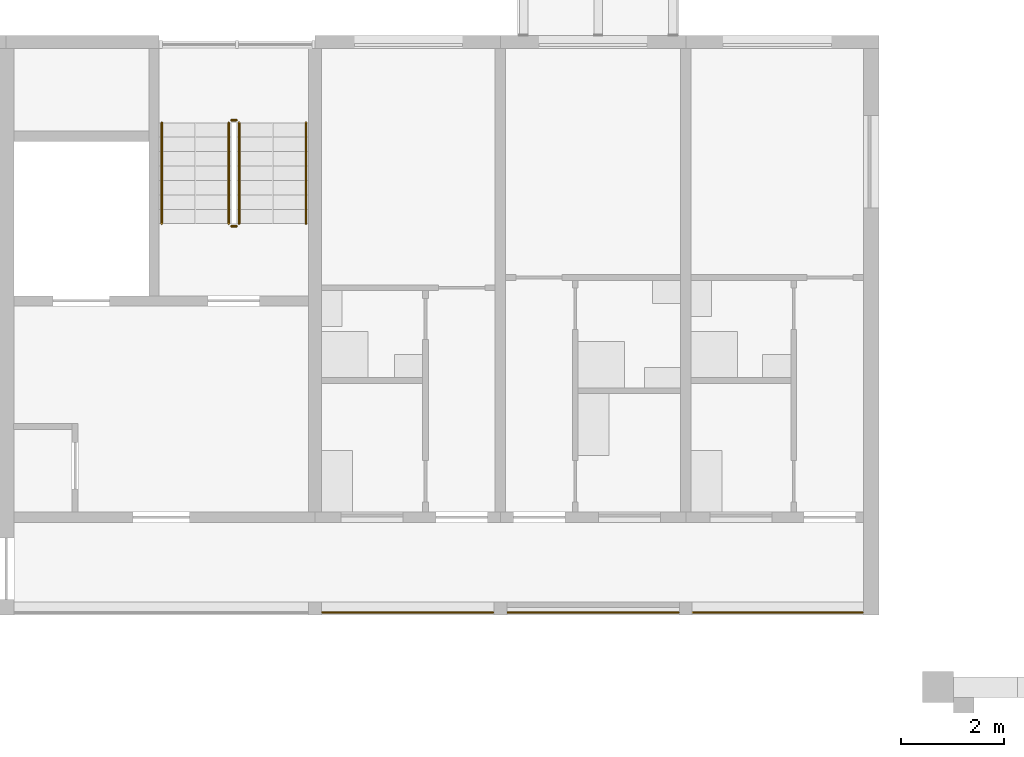
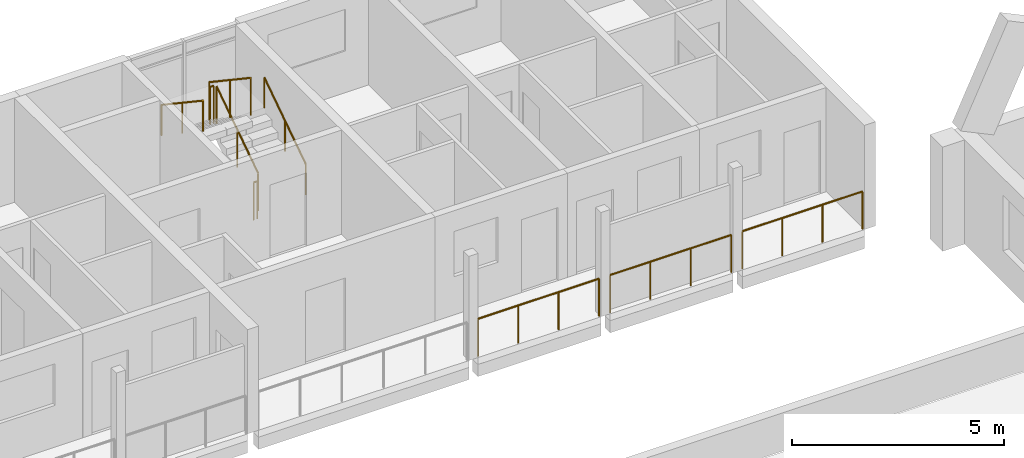
# One storey, part 102 of 115: 9 railings.
"""IFC4 building model written with IfcOpenShell, lengths in metres."""

from ifc_helpers import new_model, si_unit, direction, frame, origin, origin_2d, place, context, subcontext, project, spatial, circle, extrude, material, type_object, element, save


model = new_model("IFC4")

# Units and contexts
model_context = context("Model", 3, precision=1e-05, world=origin(), true_north=direction((0.0, 1.0)))
body_context = subcontext(model_context, "Body", "Model", "MODEL_VIEW")
ifc_project = project(units=[si_unit("LENGTHUNIT", "METRE"), si_unit("AREAUNIT", "SQUARE_METRE"), si_unit("VOLUMEUNIT", "CUBIC_METRE"), si_unit("PLANEANGLEUNIT", "RADIAN"), si_unit("MASSUNIT", "GRAM", prefix="KILO")], contexts=[model_context])

# Site, building, storey
site_placement = place(None, origin())
site = spatial("IfcSite", under=ifc_project, at=site_placement, CompositionType="ELEMENT")
building_placement = place(site_placement, origin())
building = spatial("IfcBuilding", under=site, at=building_placement, Name="Ridgestep Commons", CompositionType="ELEMENT")
storey_placement = place(building_placement, frame((0.0, 0.0, 6.0)))
storey = spatial("IfcBuildingStorey", under=building, at=storey_placement, Name="L02", CompositionType="ELEMENT", Elevation=6.0)

# Railings
ifc_material_1 = material(Name="Structural steel S355JR", Category="steel")
railing_type_1 = type_object("IfcRailingType", Name="Guard 1100", PredefinedType="GUARDRAIL", material=ifc_material_1)
railing_1_placement = place(storey_placement, frame((102.14599609375, 66.050048828125, 0.0)))
element("IfcRailing", 1, at=railing_1_placement, inside=storey, type_object=railing_type_1, Name="Gallery guard B 02.22", PredefinedType="GUARDRAIL", context=body_context, shape_type="SweptSolid", body=[
    extrude(circle(Radius=0.02392578125, at=origin_2d()), frame((0.0, 0.0, 1.076171875), z_axis=(1.0, 0.0, 0.0), x_axis=(0.0, 1.0, 0.0)), (0.0, 0.0, 1.0), 3.30810546875),
    extrude(circle(Radius=0.02099609375, at=origin_2d()), origin(), (0.0, 0.0, 1.0), 1.052001953125),
    extrude(circle(Radius=0.02099609375, at=origin_2d()), frame((1.102783203125, 0.0, 0.0)), (0.0, 0.0, 1.0), 1.052001953125),
    extrude(circle(Radius=0.02099609375, at=origin_2d()), frame((2.205322265625, 0.0, 0.0)), (0.0, 0.0, 1.0), 1.052001953125),
    extrude(circle(Radius=0.02099609375, at=origin_2d()), frame((3.30810546875, 0.0, 0.0)), (0.0, 0.0, 1.0), 1.052001953125),
])
railing_2_placement = place(storey_placement, frame((105.74609375, 66.050048828125, 0.0)))
element("IfcRailing", 2, at=railing_2_placement, inside=storey, type_object=railing_type_1, Name="Gallery guard B 02.23", PredefinedType="GUARDRAIL", context=body_context, shape_type="SweptSolid", body=[
    extrude(circle(Radius=0.02392578125, at=origin_2d()), frame((0.0, 0.0, 1.076171875), z_axis=(1.0, 0.0, 0.0), x_axis=(0.0, 1.0, 0.0)), (0.0, 0.0, 1.0), 3.307861328125),
    extrude(circle(Radius=0.02099609375, at=origin_2d()), origin(), (0.0, 0.0, 1.0), 1.052001953125),
    extrude(circle(Radius=0.02099609375, at=origin_2d()), frame((1.1025390625, 0.0, 0.0)), (0.0, 0.0, 1.0), 1.052001953125),
    extrude(circle(Radius=0.02099609375, at=origin_2d()), frame((2.205322265625, 0.0, 0.0)), (0.0, 0.0, 1.0), 1.052001953125),
    extrude(circle(Radius=0.02099609375, at=origin_2d()), frame((3.307861328125, 0.0, 0.0)), (0.0, 0.0, 1.0), 1.052001953125),
])
railing_3_placement = place(storey_placement, frame((109.345947265625, 66.050048828125, 0.0)))
element("IfcRailing", 3, at=railing_3_placement, inside=storey, type_object=railing_type_1, Name="Gallery guard B 02.24", PredefinedType="GUARDRAIL", context=body_context, shape_type="SweptSolid", body=[
    extrude(circle(Radius=0.02392578125, at=origin_2d()), frame((0.0, 0.0, 1.076171875), z_axis=(1.0, 0.0, 0.0), x_axis=(0.0, 1.0, 0.0)), (0.0, 0.0, 1.0), 3.282958984375),
    extrude(circle(Radius=0.02099609375, at=origin_2d()), origin(), (0.0, 0.0, 1.0), 1.052001953125),
    extrude(circle(Radius=0.02099609375, at=origin_2d()), frame((1.09423828125, 0.0, 0.0)), (0.0, 0.0, 1.0), 1.052001953125),
    extrude(circle(Radius=0.02099609375, at=origin_2d()), frame((2.188720703125, 0.0, 0.0)), (0.0, 0.0, 1.0), 1.052001953125),
    extrude(circle(Radius=0.02099609375, at=origin_2d()), frame((3.282958984375, 0.0, 0.0)), (0.0, 0.0, 1.0), 1.052001953125),
])
ifc_material_2 = material(Name="Structural steel S355JR", Category="steel")
railing_type_2 = type_object("IfcRailingType", Name="Stair guard 1100", PredefinedType="GUARDRAIL", material=ifc_material_2)
railing_4_placement = place(storey_placement, frame((100.52490234375, 73.60009765625, 0.1875)))
element("IfcRailing", 4, at=railing_4_placement, inside=storey, type_object=railing_type_2, Name="L02 B6C stair guard 1", PredefinedType="GUARDRAIL", context=body_context, shape_type="SweptSolid", body=[
    extrude(circle(Radius=0.02392578125, at=origin_2d()), frame((0.0, 0.0, 1.076171875), z_axis=(0.0, 0.830902050051, 0.556418712142), x_axis=(-1.0, 0.0, 0.0)), (0.0, 0.0, 1.0), 2.35888671875),
    extrude(circle(Radius=0.02099609375, at=origin_2d()), origin(), (0.0, 0.0, 1.0), 1.052001953125),
    extrude(circle(Radius=0.02099609375, at=origin_2d()), frame((0.0, 0.97998046875, 0.65625)), (0.0, 0.0, 1.0), 1.052001953125),
    extrude(circle(Radius=0.02099609375, at=origin_2d()), frame((0.0, 1.9599609375, 1.3125)), (0.0, 0.0, 1.0), 1.052001953125),
])
railing_5_placement = place(storey_placement, frame((100.47509765625, 75.610107421875, 1.5)))
element("IfcRailing", 5, at=railing_5_placement, inside=storey, type_object=railing_type_2, Name="L02 B6C stair guard 2", PredefinedType="GUARDRAIL", context=body_context, shape_type="SweptSolid", body=[
    extrude(circle(Radius=0.02392578125, at=origin_2d()), frame((0.0, 0.0, 1.076171875), z_axis=(-1.0, 0.0, 0.0), x_axis=(0.0, -1.0, 0.0)), (0.0, 0.0, 1.0), 0.10009765625),
    extrude(circle(Radius=0.02099609375, at=origin_2d()), origin(), (0.0, 0.0, 1.0), 1.052001953125),
    extrude(circle(Radius=0.02099609375, at=origin_2d()), frame((-0.10009765625, 0.0, 0.0)), (0.0, 0.0, 1.0), 1.052001953125),
])
railing_6_placement = place(storey_placement, frame((100.324951171875, 75.56005859375, 1.6875)))
element("IfcRailing", 6, at=railing_6_placement, inside=storey, type_object=railing_type_2, Name="L02 B6C stair guard 3", PredefinedType="GUARDRAIL", context=body_context, shape_type="SweptSolid", body=[
    extrude(circle(Radius=0.02392578125, at=origin_2d()), frame((0.0, 0.0, 1.076171875), z_axis=(0.0, -0.830902050051, 0.556418712142), x_axis=(1.0, 0.0, 0.0)), (0.0, 0.0, 1.0), 2.35888671875),
    extrude(circle(Radius=0.02099609375, at=origin_2d()), origin(), (0.0, 0.0, 1.0), 1.052001953125),
    extrude(circle(Radius=0.02099609375, at=origin_2d()), frame((0.0, -0.97998046875, 0.65625)), (0.0, 0.0, 1.0), 1.052001953125),
    extrude(circle(Radius=0.02099609375, at=origin_2d()), frame((0.0, -1.9599609375, 1.3125)), (0.0, 0.0, 1.0), 1.052001953125),
])
railing_7_placement = place(storey_placement, frame((100.47509765625, 73.550048828125, 0.0)))
element("IfcRailing", 7, at=railing_7_placement, inside=storey, type_object=railing_type_2, Name="L02 B6C stair guard 4", PredefinedType="GUARDRAIL", context=body_context, shape_type="SweptSolid", body=[
    extrude(circle(Radius=0.02392578125, at=origin_2d()), frame((0.0, 0.0, 1.076171875), z_axis=(-1.0, 0.0, 0.0), x_axis=(0.0, -1.0, 0.0)), (0.0, 0.0, 1.0), 0.10009765625),
    extrude(circle(Radius=0.02099609375, at=origin_2d()), origin(), (0.0, 0.0, 1.0), 1.052001953125),
    extrude(circle(Radius=0.02099609375, at=origin_2d()), frame((-0.10009765625, 0.0, 0.0)), (0.0, 0.0, 1.0), 1.052001953125),
])
ifc_material_3 = material(Name="Structural steel S355JR", Category="steel")
railing_type_3 = type_object("IfcRailingType", Name="Stair handrail 900", PredefinedType="HANDRAIL", material=ifc_material_3)
railing_8_placement = place(storey_placement, frame((101.824951171875, 73.60009765625, 0.1875)))
element("IfcRailing", 8, at=railing_8_placement, inside=storey, type_object=railing_type_3, Name="L02 B6C stair handrail 1", PredefinedType="HANDRAIL", context=body_context, shape_type="SweptSolid", body=[
    extrude(circle(Radius=0.02392578125, at=origin_2d()), frame((0.0, 0.0, 0.8759765625), z_axis=(0.0, 0.830902050051, 0.556418712142), x_axis=(-1.0, 0.0, 0.0)), (0.0, 0.0, 1.0), 2.35888671875),
    extrude(circle(Radius=0.02099609375, at=origin_2d()), origin(), (0.0, 0.0, 1.0), 0.851806640625),
    extrude(circle(Radius=0.02099609375, at=origin_2d()), frame((0.0, 0.97998046875, 0.65625)), (0.0, 0.0, 1.0), 0.851806640625),
    extrude(circle(Radius=0.02099609375, at=origin_2d()), frame((0.0, 1.9599609375, 1.3125)), (0.0, 0.0, 1.0), 0.851806640625),
])
railing_9_placement = place(storey_placement, frame((99.02490234375, 75.56005859375, 1.6875)))
element("IfcRailing", 9, at=railing_9_placement, inside=storey, type_object=railing_type_3, Name="L02 B6C stair handrail 2", PredefinedType="HANDRAIL", context=body_context, shape_type="SweptSolid", body=[
    extrude(circle(Radius=0.02392578125, at=origin_2d()), frame((0.0, 0.0, 0.8759765625), z_axis=(0.0, -0.830902050051, 0.556418712142), x_axis=(1.0, 0.0, 0.0)), (0.0, 0.0, 1.0), 2.35888671875),
    extrude(circle(Radius=0.02099609375, at=origin_2d()), origin(), (0.0, 0.0, 1.0), 0.851806640625),
    extrude(circle(Radius=0.02099609375, at=origin_2d()), frame((0.0, -0.97998046875, 0.65625)), (0.0, 0.0, 1.0), 0.851806640625),
    extrude(circle(Radius=0.02099609375, at=origin_2d()), frame((0.0, -1.9599609375, 1.3125)), (0.0, 0.0, 1.0), 0.851806640625),
])

save(model, "model.ifc")
